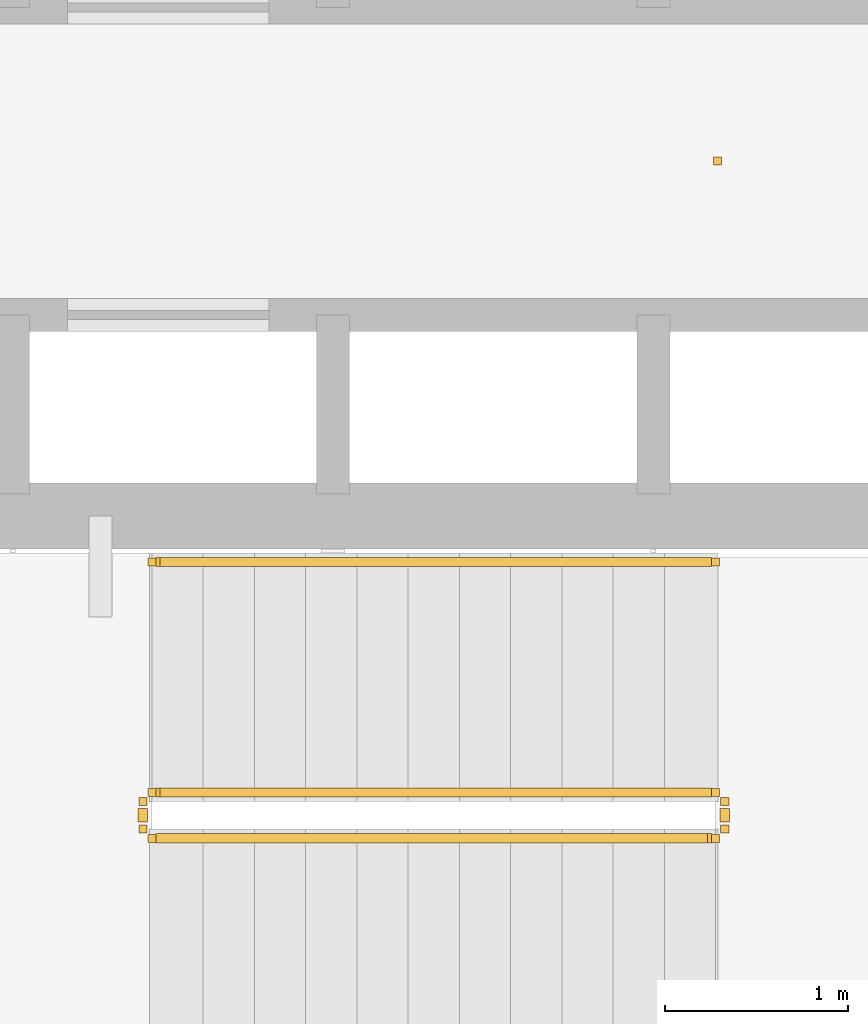
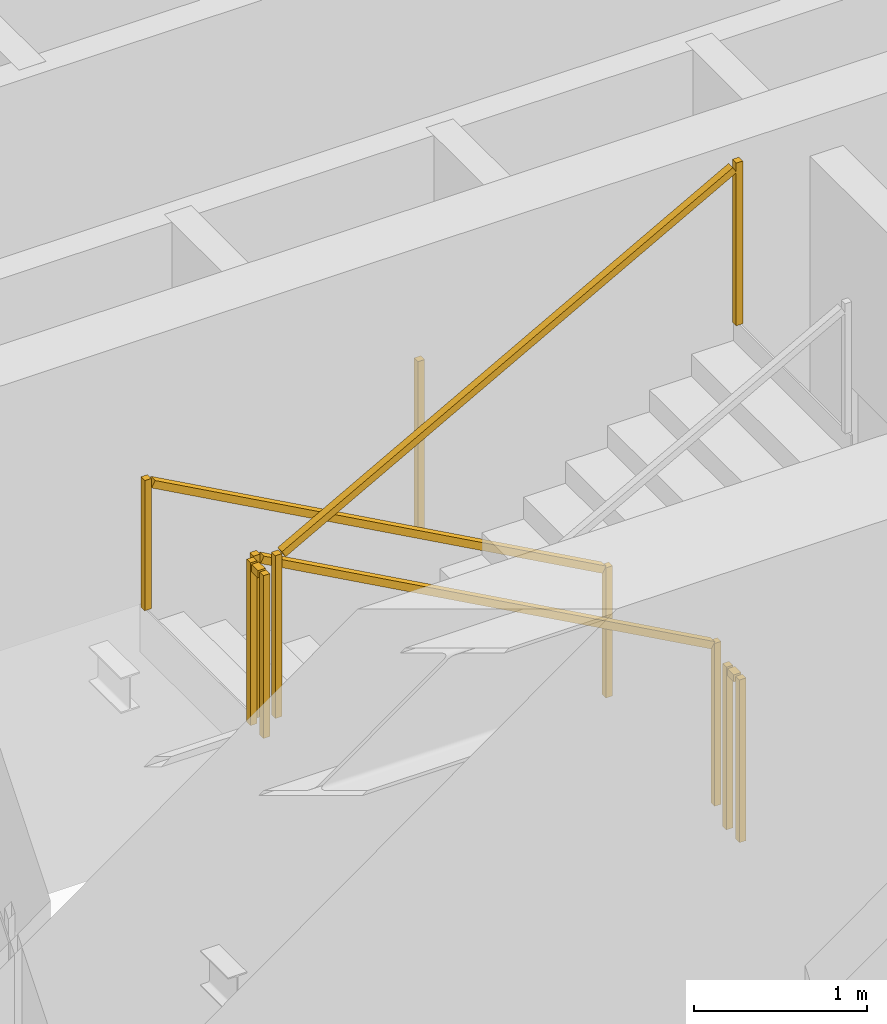
# One storey, part 10 of 13: 6 railings.
"""IFC4 building model written with IfcOpenShell, lengths in metres."""

from ifc_helpers import new_model, si_unit, direction, frame, origin, origin_2d, place, context, subcontext, project, spatial, rectangle, extrude, material, type_object, element, save


model = new_model("IFC4")

# Units and contexts
model_context = context("Model", 3, precision=1e-05, world=origin(), true_north=direction((0.0, 1.0)))
body_context = subcontext(model_context, "Body", "Model", "MODEL_VIEW")
ifc_project = project(units=[si_unit("LENGTHUNIT", "METRE"), si_unit("AREAUNIT", "SQUARE_METRE"), si_unit("VOLUMEUNIT", "CUBIC_METRE"), si_unit("PLANEANGLEUNIT", "RADIAN"), si_unit("MASSUNIT", "GRAM", prefix="KILO")], contexts=[model_context])

# Site, building, storey
site_placement = place(None, origin())
site = spatial("IfcSite", under=ifc_project, at=site_placement, CompositionType="ELEMENT")
building_placement = place(site_placement, origin())
building = spatial("IfcBuilding", under=site, at=building_placement, Name="Yunling Apex Tower", CompositionType="ELEMENT")
storey_placement = place(building_placement, frame((0.0, 0.0, 20.10009765625)))
storey = spatial("IfcBuildingStorey", under=building, at=storey_placement, Name="L06", CompositionType="ELEMENT", Elevation=20.10009765625)

# Railings
ifc_material_1 = material(Name="Bronze anodised aluminium", Category="aluminium")
railing_type_1 = type_object("IfcRailingType", Name="RL-BAL-1200", PredefinedType="BALUSTRADE", material=ifc_material_1)
railing_1_placement = place(storey_placement, origin())
element("IfcRailing", 1, at=railing_1_placement, inside=storey, type_object=railing_type_1, Name="RL-TATR-L06", PredefinedType="BALUSTRADE", context=body_context, shape_type="SweptSolid", body=[
    extrude(rectangle(XDim=0.0439453125, YDim=0.0439453125, at=origin_2d()), origin(), (0.0, 0.0, 1.0), 1.199951171875),
])
ifc_material_2 = material(Name="Steel Q355B", Category="steel")
railing_type_2 = type_object("IfcRailingType", Name="RL-GRD-1150", PredefinedType="GUARDRAIL", material=ifc_material_2)
railing_2_placement = place(storey_placement, frame((-0.010009765625, -3.449951171875, 0.154052734375)))
element("IfcRailing", 2, at=railing_2_placement, inside=storey, type_object=railing_type_2, Name="L06 ST-2 stair guard 1", PredefinedType="GUARDRAIL", context=body_context, shape_type="SweptSolid", body=[
    extrude(rectangle(XDim=0.0439453125, YDim=0.0439453125, at=origin_2d()), origin(), (0.0, 0.0, 1.0), 1.14990234375),
    extrude(rectangle(XDim=0.0439453125, YDim=0.0439453125, at=origin_2d()), frame((-3.080078125, 0.0, 1.69580078125)), (0.0, 0.0, 1.0), 1.14990234375),
    extrude(rectangle(XDim=0.050048828125, YDim=0.050048828125, at=origin_2d()), frame((-0.03369140625, 0.0, 1.143310546875), z_axis=(-0.876004717809, 0.0, 0.482302534076), x_axis=(0.0, -1.0, 0.0)), (0.0, 0.0, 1.0), 3.439453125),
])
railing_3_placement = place(storey_placement, frame((-3.139892578125, -3.5, 1.849853515625)))
element("IfcRailing", 3, at=railing_3_placement, inside=storey, type_object=railing_type_2, Name="L06 ST-2 stair guard 2", PredefinedType="GUARDRAIL", context=body_context, shape_type="SweptSolid", body=[
    extrude(rectangle(XDim=0.0439453125, YDim=0.0439453125, at=origin_2d()), origin(), (0.0, 0.0, 1.0), 1.14990234375),
    extrude(rectangle(XDim=0.0439453125, YDim=0.0439453125, at=origin_2d()), frame((0.0, -0.14990234375, 0.0)), (0.0, 0.0, 1.0), 1.14990234375),
    extrude(rectangle(XDim=0.050048828125, YDim=0.050048828125, at=origin_2d()), frame((0.0, -0.038330078125, 1.125), z_axis=(0.0, -1.0, 0.0), x_axis=(1.0, 0.0, 0.0)), (0.0, 0.0, 1.0), 0.0732421875),
])
railing_4_placement = place(storey_placement, frame((-3.090087890625, -3.699951171875, 2.004150390625)))
element("IfcRailing", 4, at=railing_4_placement, inside=storey, type_object=railing_type_2, Name="L06 ST-2 stair guard 4", PredefinedType="GUARDRAIL", context=body_context, shape_type="SweptSolid", body=[
    extrude(rectangle(XDim=0.0439453125, YDim=0.0439453125, at=origin_2d()), origin(), (0.0, 0.0, 1.0), 1.14990234375),
    extrude(rectangle(XDim=0.0439453125, YDim=0.0439453125, at=origin_2d()), frame((3.080078125, 0.0, 1.69580078125)), (0.0, 0.0, 1.0), 1.14990234375),
    extrude(rectangle(XDim=0.050048828125, YDim=0.050048828125, at=origin_2d()), frame((0.03369140625, 0.0, 1.143310546875), z_axis=(0.876004717809, 0.0, 0.482302534076), x_axis=(0.0, 1.0, 0.0)), (0.0, 0.0, 1.0), 3.439453125),
])
railing_5_placement = place(storey_placement, frame((0.0400390625, -3.5, 0.0)))
element("IfcRailing", 5, at=railing_5_placement, inside=storey, type_object=railing_type_2, Name="L06 ST-2 stair guard 5", PredefinedType="GUARDRAIL", context=body_context, shape_type="SweptSolid", body=[
    extrude(rectangle(XDim=0.0439453125, YDim=0.0439453125, at=origin_2d()), origin(), (0.0, 0.0, 1.0), 1.14990234375),
    extrude(rectangle(XDim=0.0439453125, YDim=0.0439453125, at=origin_2d()), frame((0.0, -0.14990234375, 0.0)), (0.0, 0.0, 1.0), 1.14990234375),
    extrude(rectangle(XDim=0.050048828125, YDim=0.050048828125, at=origin_2d()), frame((0.0, -0.038330078125, 1.125), z_axis=(0.0, -1.0, 0.0), x_axis=(1.0, 0.0, 0.0)), (0.0, 0.0, 1.0), 0.0732421875),
])
ifc_material_3 = material(Name="Silver anodised aluminium", Category="aluminium")
railing_type_3 = type_object("IfcRailingType", Name="RL-HND-900", PredefinedType="HANDRAIL", material=ifc_material_3)
railing_6_placement = place(storey_placement, frame((-0.010009765625, -2.18994140625, 0.154052734375)))
element("IfcRailing", 6, at=railing_6_placement, inside=storey, type_object=railing_type_3, Name="L06 ST-2 stair handrail 1", PredefinedType="HANDRAIL", context=body_context, shape_type="SweptSolid", body=[
    extrude(rectangle(XDim=0.0439453125, YDim=0.0439453125, at=origin_2d()), origin(), (0.0, 0.0, 1.0), 0.919921875),
    extrude(rectangle(XDim=0.0439453125, YDim=0.0439453125, at=origin_2d()), frame((-3.080078125, 0.0, 1.69580078125)), (0.0, 0.0, 1.0), 0.919921875),
    extrude(rectangle(XDim=0.050048828125, YDim=0.050048828125, at=origin_2d()), frame((-0.03369140625, 0.0, 0.913330078125), z_axis=(-0.876004717809, 0.0, 0.482302534076), x_axis=(0.0, -1.0, 0.0)), (0.0, 0.0, 1.0), 3.439453125),
])

save(model, "model.ifc")
